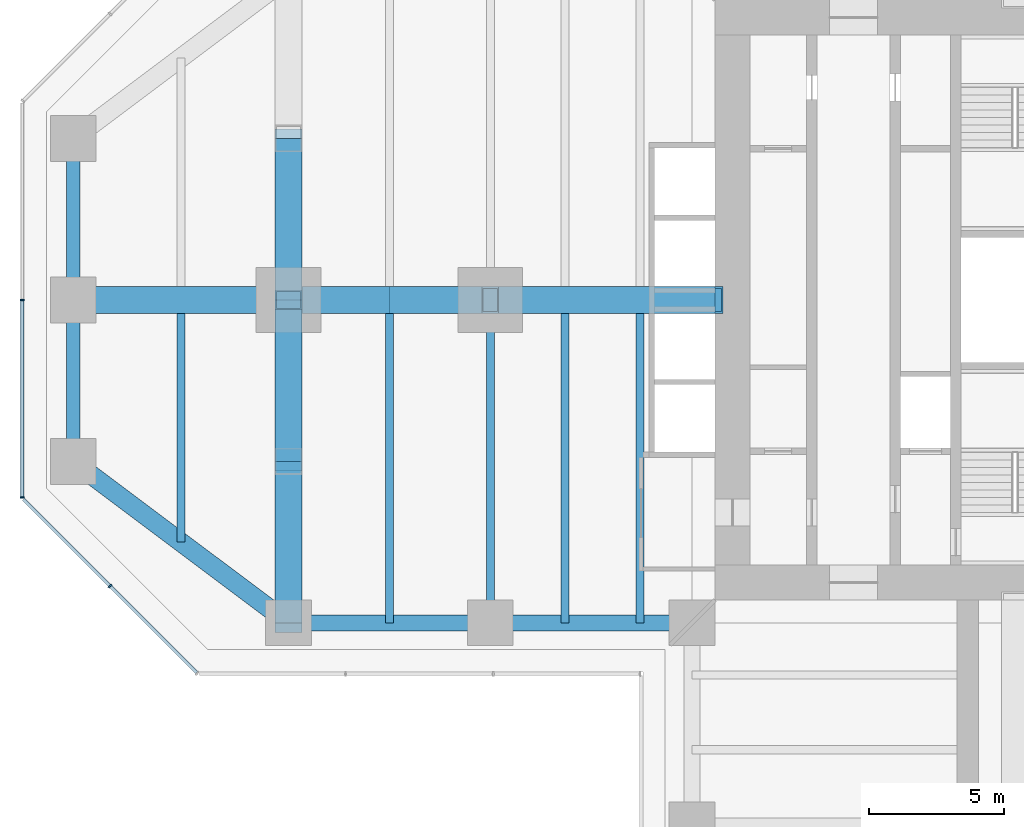
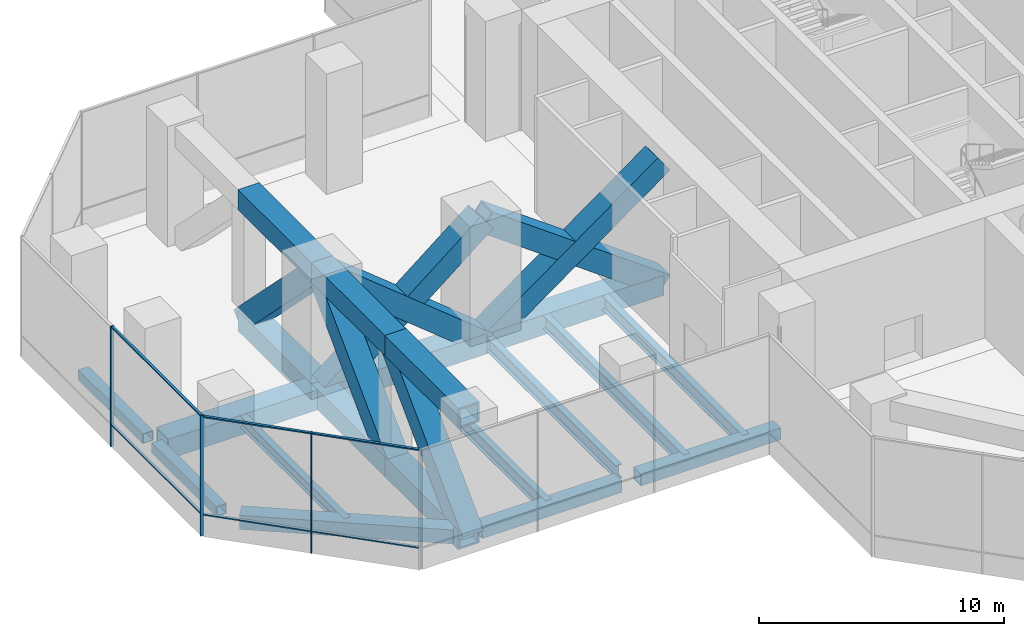
# One storey, part 3 of 19: 22 members, 13 beams, 2 elements without a shape of their own.
"""IFC4 building model written with IfcOpenShell, lengths in metres."""

from ifc_helpers import new_model, si_unit, direction, frame, origin, origin_2d, place, context, subcontext, project, spatial, rectangle, hollow_rectangle, i_section, extrude, material, material_profile, profile_set, type_object, element, aggregate, save


model = new_model("IFC4")

# Units and contexts
model_context = context("Model", 3, precision=1e-05, world=origin(), true_north=direction((0.0, 1.0)))
body_context = subcontext(model_context, "Body", "Model", "MODEL_VIEW")
ifc_project = project(units=[si_unit("LENGTHUNIT", "METRE"), si_unit("AREAUNIT", "SQUARE_METRE"), si_unit("VOLUMEUNIT", "CUBIC_METRE"), si_unit("PLANEANGLEUNIT", "RADIAN"), si_unit("MASSUNIT", "GRAM", prefix="KILO")], contexts=[model_context])

# Site, building, storey
site_placement = place(None, origin())
site = spatial("IfcSite", under=ifc_project, at=site_placement, CompositionType="ELEMENT")
building_placement = place(site_placement, origin())
building = spatial("IfcBuilding", under=site, at=building_placement, Name="Mizan Broadcast Tower", CompositionType="ELEMENT")
storey_placement = place(building_placement, frame((0.0, 0.0, 198.89990234375)))
storey = spatial("IfcBuildingStorey", under=building, at=storey_placement, Name="L46", CompositionType="ELEMENT", Elevation=198.89990234375)

# Members
ifc_material_1 = material(Name="Steel S460", Category="steel")
ifc_material_profile_1 = material_profile(ifc_material_1, hollow_rectangle(XDim=1.0, YDim=1.0, WallThickness=0.080078125, at=origin_2d()), Name="BOX 1000x1000x80")
ifc_profile_set_1 = profile_set([ifc_material_profile_1], Name="Steel S460")
member_type_1 = type_object("IfcMemberType", Name="BELT TRUSS BT3 CHORD BOX 1000x1000x80", PredefinedType="CHORD", material=ifc_profile_set_1)
for number, where, z_axis, x_axis, name in (
    (1, (-27.0, 6.0, -0.679931640625), (0.0, -1.0, 0.0), (1.0, 0.0, 0.0), "Belt truss BT3-W27 bottom chord 2"),
    (2, (-27.0, 6.0, 5.3701171875), (0.0, -1.0, 0.0), (1.0, 0.0, 0.0), "Belt truss BT3-W27 top chord 2"),
    (3, (-27.0, 0.0, -0.679931640625), (0.0, -1.0, 0.0), (1.0, 0.0, 0.0), "Belt truss BT3-W27 bottom chord 3"),
    (4, (-27.0, 0.0, 5.3701171875), (0.0, -1.0, 0.0), (1.0, 0.0, 0.0), "Belt truss BT3-W27 top chord 3"),
    (5, (-27.0, -6.0, -0.679931640625), (0.0, -1.0, 0.0), (1.0, 0.0, 0.0), "Belt truss BT3-W27 bottom chord 4"),
    (6, (-27.0, -6.0, 5.3701171875), (0.0, -1.0, 0.0), (1.0, 0.0, 0.0), "Belt truss BT3-W27 top chord 4"),
):
    element("IfcMember", number, at=place(storey_placement, frame(where, z_axis=z_axis, x_axis=x_axis)), inside=storey, type_object=member_type_1, Name=name, PredefinedType="CHORD", context=body_context, shape_type="SweptSolid", body=[
        extrude(hollow_rectangle(XDim=1.0, YDim=1.0, WallThickness=0.080078125, at=origin_2d()), origin(), (0.0, 0.0, 1.0), 6.0),
    ])
ifc_material_2 = material(Name="Steel S460", Category="steel")
ifc_material_profile_2 = material_profile(ifc_material_2, hollow_rectangle(XDim=1.0, YDim=1.0, WallThickness=0.06005859375, at=origin_2d()), Name="BOX 1000x1000x60")
ifc_profile_set_2 = profile_set([ifc_material_profile_2], Name="Steel S460")
member_type_2 = type_object("IfcMemberType", Name="BELT TRUSS BT3 DIAGONAL BOX 1000x1000x60", PredefinedType="BRACE", material=ifc_profile_set_2)
for number, where, z_axis, x_axis, name in (
    (7, (-27.0, 6.0, -0.679931640625), (0.0, -0.704163801085, 0.710037563261), (1.0, 0.0, 0.0), "Belt truss BT3-W27 diagonal 2"),
    (8, (-27.0, -6.0, -0.679931640625), (0.0, 0.704163801085, 0.710037563261), (-1.0, 0.0, 0.0), "Belt truss BT3-W27 diagonal 3"),
    (9, (-27.0, -12.0, -0.679931640625), (0.0, 0.704163801085, 0.710037563261), (-1.0, 0.0, 0.0), "Belt truss BT3-W27 diagonal 4"),
):
    element("IfcMember", number, at=place(storey_placement, frame(where, z_axis=z_axis, x_axis=x_axis)), inside=storey, type_object=member_type_2, Name=name, PredefinedType="BRACE", context=body_context, shape_type="SweptSolid", body=[
        extrude(hollow_rectangle(XDim=1.0, YDim=1.0, WallThickness=0.06005859375, at=origin_2d()), origin(), (0.0, 0.0, 1.0), 8.520751953125),
    ])

# Beams
ifc_material_3 = material(Name="Steel S355", Category="steel")
ifc_material_profile_3 = material_profile(ifc_material_3, hollow_rectangle(XDim=0.5, YDim=0.5, WallThickness=0.030029296875, at=origin_2d()), Name="BOX 500x500x30")
ifc_profile_set_3 = profile_set([ifc_material_profile_3], Name="Steel S355")
beam_type_1 = type_object("IfcBeamType", Name="EDGE BEAM BOX 500x500x30", PredefinedType="SPANDREL", material=ifc_profile_set_3)
for number, where, z_axis, x_axis, name in (
    (10, (-35.0, 5.639892578125, -0.429931640625), (0.0, -1.0, 0.0), (1.0, 0.0, 0.0), "Edge beam BOX 500x500x30 L46 west arm"),
    (11, (-35.0, -5.639892578125, -0.429931640625), (0.0, 1.0, 0.0), (-1.0, 0.0, 0.0), "Edge beam BOX 500x500x30 L46 west arm"),
):
    element("IfcBeam", number, at=place(storey_placement, frame(where, z_axis=z_axis, x_axis=x_axis)), inside=storey, type_object=beam_type_1, Name=name, PredefinedType="SPANDREL", context=body_context, shape_type="SweptSolid", body=[
        extrude(hollow_rectangle(XDim=0.5, YDim=0.5, WallThickness=0.030029296875, at=origin_2d()), origin(), (0.0, 0.0, 1.0), 5.27978515625),
    ])
ifc_material_4 = material(Name="Steel S355", Category="steel")
ifc_material_profile_4 = material_profile(ifc_material_4, hollow_rectangle(XDim=0.60009765625, YDim=0.60009765625, WallThickness=0.0400390625, at=origin_2d()), Name="BOX 600x600x40")
ifc_profile_set_4 = profile_set([ifc_material_profile_4], Name="Steel S355")
beam_type_2 = type_object("IfcBeamType", Name="EDGE BEAM BOX 600x600x40", PredefinedType="SPANDREL", material=ifc_profile_set_4)
for number, where, z_axis, x_axis, name in (
    (12, (-12.449951171875, -12.0, -0.47998046875), (-1.0, 0.0, 0.0), (0.0, -1.0, 0.0), "Edge beam BOX 600x600x40 L46 west arm"),
    (13, (-19.949951171875, -12.0, -0.47998046875), (-1.0, 0.0, 0.0), (0.0, -1.0, 0.0), "Edge beam BOX 600x600x40 L46 west arm"),
):
    element("IfcBeam", number, at=place(storey_placement, frame(where, z_axis=z_axis, x_axis=x_axis)), inside=storey, type_object=beam_type_2, Name=name, PredefinedType="SPANDREL", context=body_context, shape_type="SweptSolid", body=[
        extrude(hollow_rectangle(XDim=0.60009765625, YDim=0.60009765625, WallThickness=0.0400390625, at=origin_2d()), origin(), (0.0, 0.0, 1.0), 6.60009765625),
    ])
ifc_material_5 = material(Name="Steel S355", Category="steel")
ifc_material_profile_5 = material_profile(ifc_material_5, hollow_rectangle(XDim=0.699951171875, YDim=0.699951171875, WallThickness=0.0400390625, at=origin_2d()), Name="BOX 700x700x40")
ifc_profile_set_5 = profile_set([ifc_material_profile_5], Name="Steel S355")
beam_type_3 = type_object("IfcBeamType", Name="EDGE BEAM BOX 700x700x40", PredefinedType="SPANDREL", material=ifc_profile_set_5)
beam_1_placement = place(storey_placement, frame((-27.47998046875, -11.639892578125, -0.52978515625), z_axis=(-0.800013316712, 0.599982243973, 0.0), x_axis=(-0.599982243973, -0.800013316712, 0.0)))
element("IfcBeam", 14, at=beam_1_placement, inside=storey, type_object=beam_type_3, Name="Edge beam BOX 700x700x40 L46 west arm", PredefinedType="SPANDREL", context=body_context, shape_type="SweptSolid", body=[
    extrude(hollow_rectangle(XDim=0.699951171875, YDim=0.699951171875, WallThickness=0.0400390625, at=origin_2d()), origin(), (0.0, 0.0, 1.0), 8.7998046875),
])
ifc_material_6 = material(Name="Steel S460", Category="steel")
ifc_material_profile_6 = material_profile(ifc_material_6, hollow_rectangle(XDim=1.0, YDim=1.0, WallThickness=0.080078125, at=origin_2d()), Name="BOX 1000x1000x80")
ifc_profile_set_6 = profile_set([ifc_material_profile_6], Name="Steel S460")
beam_type_4 = type_object("IfcBeamType", Name="GIRDER BOX 1000x1000x80", PredefinedType="BEAM", material=ifc_profile_set_6)
beam_2_placement = place(storey_placement, frame((-27.47998046875, 0.0, -0.679931640625), z_axis=(-1.0, 0.0, 0.0), x_axis=(0.0, -1.0, 0.0)))
element("IfcBeam", 15, at=beam_2_placement, inside=storey, type_object=beam_type_4, Name="Girder BOX 1000x1000x80 L46 west arm", PredefinedType="BEAM", context=body_context, shape_type="SweptSolid", body=[
    extrude(hollow_rectangle(XDim=1.0, YDim=1.0, WallThickness=0.080078125, at=origin_2d()), origin(), (0.0, 0.0, 1.0), 7.0400390625),
])
ifc_material_7 = material(Name="Steel S355", Category="steel")
ifc_material_profile_7 = material_profile(ifc_material_7, i_section(OverallWidth=0.300048828125, OverallDepth=0.68994140625, WebThickness=0.014404296875, FlangeThickness=0.027099609375, FilletRadius=0.027099609375, at=origin_2d()), Name="HEA 700")
ifc_profile_set_7 = profile_set([ifc_material_profile_7], Name="Steel S355")
beam_type_5 = type_object("IfcBeamType", Name="GIRDER HEA 700", PredefinedType="BEAM", material=ifc_profile_set_7)
beam_3_placement = place(storey_placement, frame((-19.5, -11.280029296875, -0.52490234375), z_axis=(0.0, 1.0, 0.0), x_axis=(-1.0, 0.0, 0.0)))
element("IfcBeam", 16, at=beam_3_placement, inside=storey, type_object=beam_type_5, Name="Girder HEA 700 L46 west arm", PredefinedType="BEAM", context=body_context, shape_type="SweptSolid", body=[
    extrude(i_section(OverallWidth=0.300048828125, OverallDepth=0.68994140625, WebThickness=0.014404296875, FlangeThickness=0.027099609375, FilletRadius=0.027099609375, at=origin_2d()), origin(), (0.0, 0.0, 1.0), 10.56005859375),
])

# Curtain wall, members
ifc_material_8 = material(Name="Aluminium framed glazing", Category="aluminium")
curtain_wall_type = type_object("IfcCurtainWallType", Name="PLANT LOUVRE", PredefinedType="USERDEFINED", material=ifc_material_8)
curtain_wall_1_placement = place(storey_placement, origin())
curtain_wall_1 = element("IfcCurtainWall", 17, at=curtain_wall_1_placement, inside=storey, type_object=curtain_wall_type, Name="Plant louvre L46 W end", ObjectType="PLANT LOUVRE", PredefinedType="USERDEFINED")
ifc_material_9 = material(Name="Aluminium, pale anodised", Category="aluminium")
ifc_material_profile_8 = material_profile(ifc_material_9, rectangle(XDim=0.159912109375, YDim=0.06005859375, at=origin_2d()), Name="MULLION 160x60")
ifc_profile_set_8 = profile_set([ifc_material_profile_8], Name="Aluminium, pale anodised")
member_type_3 = type_object("IfcMemberType", Name="INNER SKIN MULLION 60x160", PredefinedType="MULLION", material=ifc_profile_set_8)
member_1_placement = place(storey_placement, frame((-36.89990234375, 0.0, 0.0), z_axis=(0.0, 0.0, 1.0), x_axis=(1.0, 0.0, 0.0)))
member_1 = element("IfcMember", 18, at=member_1_placement, type_object=member_type_3, Name="Plant louvre L46 W end mullion 2", PredefinedType="MULLION", context=body_context, shape_type="SweptSolid", body=[
    extrude(rectangle(XDim=0.159912109375, YDim=0.06005859375, at=origin_2d()), origin(), (0.0, 0.0, 1.0), 6.0),
])
member_2_placement = place(storey_placement, frame((-36.89990234375, -7.3427734375, 0.0), z_axis=(0.0, 0.0, 1.0), x_axis=(1.0, 0.0, 0.0)))
member_2 = element("IfcMember", 19, at=member_2_placement, type_object=member_type_3, Name="Plant louvre L46 W end mullion 3", PredefinedType="MULLION", context=body_context, shape_type="SweptSolid", body=[
    extrude(rectangle(XDim=0.159912109375, YDim=0.06005859375, at=origin_2d()), origin(), (0.0, 0.0, 1.0), 6.0),
])

# Curtain wall, member
curtain_wall_2_placement = place(storey_placement, origin())
curtain_wall_2 = element("IfcCurtainWall", 20, at=curtain_wall_2_placement, inside=storey, type_object=curtain_wall_type, Name="Plant louvre L46 W chamfer", ObjectType="PLANT LOUVRE", PredefinedType="USERDEFINED")
member_3_placement = place(storey_placement, frame((-33.636474609375, -10.636474609375, 0.0), z_axis=(0.0, 0.0, 1.0), x_axis=(0.707106781187, 0.707106781187, 0.0)))
member_3 = element("IfcMember", 21, at=member_3_placement, type_object=member_type_3, Name="Plant louvre L46 W chamfer mullion 2", PredefinedType="MULLION", context=body_context, shape_type="SweptSolid", body=[
    extrude(rectangle(XDim=0.159912109375, YDim=0.06005859375, at=origin_2d()), origin(), (0.0, 0.0, 1.0), 6.0),
])

# Member
ifc_material_10 = material(Name="Aluminium, pale anodised", Category="aluminium")
ifc_material_profile_9 = material_profile(ifc_material_10, rectangle(XDim=0.1201171875, YDim=0.06005859375, at=origin_2d()), Name="TRANSOM 120x60")
ifc_profile_set_9 = profile_set([ifc_material_profile_9], Name="Aluminium, pale anodised")
member_type_4 = type_object("IfcMemberType", Name="INNER SKIN TRANSOM 60x120", PredefinedType="USERDEFINED", material=ifc_profile_set_9)
member_4_placement = place(storey_placement, frame((-36.89990234375, -0.030029296875, 1.10009765625), z_axis=(0.0, -1.0, 0.0), x_axis=(1.0, 0.0, 0.0)))
member_4 = element("IfcMember", 22, at=member_4_placement, type_object=member_type_4, Name="Plant louvre L46 W end transom 2.1", ObjectType="TRANSOM", PredefinedType="USERDEFINED", context=body_context, shape_type="SweptSolid", body=[
    extrude(rectangle(XDim=0.1201171875, YDim=0.06005859375, at=origin_2d()), origin(), (0.0, 0.0, 1.0), 7.28271484375),
])

member_5_placement = place(storey_placement, frame((-36.89990234375, -0.030029296875, 5.97021484375), z_axis=(0.0, -1.0, 0.0), x_axis=(1.0, 0.0, 0.0)))
member_5 = element("IfcMember", 23, at=member_5_placement, type_object=member_type_4, Name="Plant louvre L46 W end transom 2.2", ObjectType="TRANSOM", PredefinedType="USERDEFINED", context=body_context, shape_type="SweptSolid", body=[
    extrude(rectangle(XDim=0.1201171875, YDim=0.06005859375, at=origin_2d()), origin(), (0.0, 0.0, 1.0), 7.28271484375),
])

aggregate(curtain_wall_1, [member_1, member_2, member_4, member_5])

member_6_placement = place(storey_placement, frame((-36.857666015625, -7.415283203125, 1.10009765625), z_axis=(0.707106781187, -0.707106781187, 0.0), x_axis=(0.707106781187, 0.707106781187, 0.0)))
member_6 = element("IfcMember", 24, at=member_6_placement, type_object=member_type_4, Name="Plant louvre L46 W chamfer transom 1.1", ObjectType="TRANSOM", PredefinedType="USERDEFINED", context=body_context, shape_type="SweptSolid", body=[
    extrude(rectangle(XDim=0.1201171875, YDim=0.06005859375, at=origin_2d()), origin(), (0.0, 0.0, 1.0), 4.525390625),
])

member_7_placement = place(storey_placement, frame((-36.857666015625, -7.415283203125, 5.97021484375), z_axis=(0.707106781187, -0.707106781187, 0.0), x_axis=(0.707106781187, 0.707106781187, 0.0)))
member_7 = element("IfcMember", 25, at=member_7_placement, type_object=member_type_4, Name="Plant louvre L46 W chamfer transom 1.2", ObjectType="TRANSOM", PredefinedType="USERDEFINED", context=body_context, shape_type="SweptSolid", body=[
    extrude(rectangle(XDim=0.1201171875, YDim=0.06005859375, at=origin_2d()), origin(), (0.0, 0.0, 1.0), 4.525390625),
])

member_8_placement = place(storey_placement, frame((-33.615234375, -10.65771484375, 1.10009765625), z_axis=(0.707106781187, -0.707106781187, 0.0), x_axis=(0.707106781187, 0.707106781187, 0.0)))
member_8 = element("IfcMember", 26, at=member_8_placement, type_object=member_type_4, Name="Plant louvre L46 W chamfer transom 2.1", ObjectType="TRANSOM", PredefinedType="USERDEFINED", context=body_context, shape_type="SweptSolid", body=[
    extrude(rectangle(XDim=0.1201171875, YDim=0.06005859375, at=origin_2d()), origin(), (0.0, 0.0, 1.0), 4.525390625),
])

member_9_placement = place(storey_placement, frame((-33.615234375, -10.65771484375, 5.97021484375), z_axis=(0.707106781187, -0.707106781187, 0.0), x_axis=(0.707106781187, 0.707106781187, 0.0)))
member_9 = element("IfcMember", 27, at=member_9_placement, type_object=member_type_4, Name="Plant louvre L46 W chamfer transom 2.2", ObjectType="TRANSOM", PredefinedType="USERDEFINED", context=body_context, shape_type="SweptSolid", body=[
    extrude(rectangle(XDim=0.1201171875, YDim=0.06005859375, at=origin_2d()), origin(), (0.0, 0.0, 1.0), 4.525390625),
])

aggregate(curtain_wall_2, [member_3, member_6, member_7, member_8, member_9])

# Beams
ifc_material_11 = material(Name="Steel S460", Category="steel")
ifc_material_profile_10 = material_profile(ifc_material_11, hollow_rectangle(XDim=1.0, YDim=1.0, WallThickness=0.080078125, at=origin_2d()), Name="BOX 1000x1000x80")
ifc_profile_set_10 = profile_set([ifc_material_profile_10], Name="Steel S460")
beam_type_6 = type_object("IfcBeamType", Name="OUTRIGGER TRUSS OT3 CHORD BOX 1000x1000x80", PredefinedType="BEAM", material=ifc_profile_set_10)
beam_4_placement = place(storey_placement, frame((-11.14990234375, 0.0, -0.679931640625), z_axis=(-1.0, 0.0, 0.0), x_axis=(0.0, -1.0, 0.0)))
element("IfcBeam", 28, at=beam_4_placement, inside=storey, type_object=beam_type_6, Name="Outrigger truss OT3-W bottom chord 1", PredefinedType="BEAM", context=body_context, shape_type="SweptSolid", body=[
    extrude(hollow_rectangle(XDim=1.0, YDim=1.0, WallThickness=0.080078125, at=origin_2d()), origin(), (0.0, 0.0, 1.0), 8.35009765625),
])
beam_5_placement = place(storey_placement, frame((-19.5, 0.0, -0.679931640625), z_axis=(-1.0, 0.0, 0.0), x_axis=(0.0, -1.0, 0.0)))
element("IfcBeam", 29, at=beam_5_placement, inside=storey, type_object=beam_type_6, Name="Outrigger truss OT3-W bottom chord 2", PredefinedType="BEAM", context=body_context, shape_type="SweptSolid", body=[
    extrude(hollow_rectangle(XDim=1.0, YDim=1.0, WallThickness=0.080078125, at=origin_2d()), origin(), (0.0, 0.0, 1.0), 7.5),
])

# Members
ifc_material_12 = material(Name="Steel S460", Category="steel")
ifc_material_profile_11 = material_profile(ifc_material_12, hollow_rectangle(XDim=1.0, YDim=1.0, WallThickness=0.080078125, at=origin_2d()), Name="BOX 1000x1000x80")
ifc_profile_set_11 = profile_set([ifc_material_profile_11], Name="Steel S460")
member_type_5 = type_object("IfcMemberType", Name="OUTRIGGER TRUSS OT3 DIAGONAL BOX 1000x1000x80", PredefinedType="BRACE", material=ifc_profile_set_11)
for number, where, z_axis, x_axis, name in (
    (30, (-11.14990234375, 0.0, -0.679931640625), (-0.809784242605, 0.0, 0.586727773698), (0.0, -1.0, 0.0), "Outrigger truss OT3-W panel 1 diagonal 1"),
    (31, (-11.14990234375, 0.0, 5.3701171875), (-0.809784242605, 0.0, -0.586727773698), (0.0, -1.0, 0.0), "Outrigger truss OT3-W panel 1 diagonal 2"),
):
    element("IfcMember", number, at=place(storey_placement, frame(where, z_axis=z_axis, x_axis=x_axis)), inside=storey, type_object=member_type_5, Name=name, PredefinedType="BRACE", context=body_context, shape_type="SweptSolid", body=[
        extrude(hollow_rectangle(XDim=1.0, YDim=1.0, WallThickness=0.080078125, at=origin_2d()), origin(), (0.0, 0.0, 1.0), 10.3115234375),
    ])
for number, where, z_axis, x_axis, name in (
    (32, (-19.5, 0.0, -0.679931640625), (-0.77832876476, 0.0, 0.627856937484), (0.0, -1.0, 0.0), "Outrigger truss OT3-W panel 2 diagonal 1"),
    (33, (-19.5, 0.0, 5.3701171875), (-0.77832876476, 0.0, -0.627856937484), (0.0, -1.0, 0.0), "Outrigger truss OT3-W panel 2 diagonal 2"),
):
    element("IfcMember", number, at=place(storey_placement, frame(where, z_axis=z_axis, x_axis=x_axis)), inside=storey, type_object=member_type_5, Name=name, PredefinedType="BRACE", context=body_context, shape_type="SweptSolid", body=[
        extrude(hollow_rectangle(XDim=1.0, YDim=1.0, WallThickness=0.080078125, at=origin_2d()), origin(), (0.0, 0.0, 1.0), 9.635986328125),
    ])

# Beams
ifc_material_13 = material(Name="Steel S355", Category="steel")
ifc_material_profile_12 = material_profile(ifc_material_13, i_section(OverallWidth=0.300048828125, OverallDepth=0.590087890625, WebThickness=0.012939453125, FlangeThickness=0.02490234375, FilletRadius=0.027099609375, at=origin_2d()), Name="HEA 600")
ifc_profile_set_12 = profile_set([ifc_material_profile_12], Name="Steel S355")
beam_type_7 = type_object("IfcBeamType", Name="SECONDARY BEAM HEA 600", PredefinedType="JOIST", material=ifc_profile_set_12)
beam_6_placement = place(storey_placement, frame((-31.0, -9.0, -0.474853515625), z_axis=(0.0, 1.0, 0.0), x_axis=(-1.0, 0.0, 0.0)))
element("IfcBeam", 34, at=beam_6_placement, inside=storey, type_object=beam_type_7, Name="Secondary beam HEA 600 L46 west arm", PredefinedType="JOIST", context=body_context, shape_type="SweptSolid", body=[
    extrude(i_section(OverallWidth=0.300048828125, OverallDepth=0.590087890625, WebThickness=0.012939453125, FlangeThickness=0.02490234375, FilletRadius=0.027099609375, at=origin_2d()), origin(), (0.0, 0.0, 1.0), 8.5),
])
ifc_material_14 = material(Name="Steel S355", Category="steel")
ifc_material_profile_13 = material_profile(ifc_material_14, i_section(OverallWidth=0.300048828125, OverallDepth=0.68994140625, WebThickness=0.014404296875, FlangeThickness=0.027099609375, FilletRadius=0.027099609375, at=origin_2d()), Name="HEA 700")
ifc_profile_set_13 = profile_set([ifc_material_profile_13], Name="Steel S355")
beam_type_8 = type_object("IfcBeamType", Name="SECONDARY BEAM HEA 700", PredefinedType="JOIST", material=ifc_profile_set_13)
for number, where, z_axis, x_axis, name in (
    (35, (-13.933349609375, -12.0, -0.52490234375), (0.0, 1.0, 0.0), (-1.0, 0.0, 0.0), "Secondary beam HEA 700 L46 west arm"),
    (36, (-16.716552734375, -12.0, -0.52490234375), (0.0, 1.0, 0.0), (-1.0, 0.0, 0.0), "Secondary beam HEA 700 L46 west arm"),
    (37, (-23.25, -12.0, -0.52490234375), (0.0, 1.0, 0.0), (-1.0, 0.0, 0.0), "Secondary beam HEA 700 L46 west arm"),
):
    element("IfcBeam", number, at=place(storey_placement, frame(where, z_axis=z_axis, x_axis=x_axis)), inside=storey, type_object=beam_type_8, Name=name, PredefinedType="JOIST", context=body_context, shape_type="SweptSolid", body=[
        extrude(i_section(OverallWidth=0.300048828125, OverallDepth=0.68994140625, WebThickness=0.014404296875, FlangeThickness=0.027099609375, FilletRadius=0.027099609375, at=origin_2d()), origin(), (0.0, 0.0, 1.0), 11.5),
    ])

save(model, "model.ifc")
